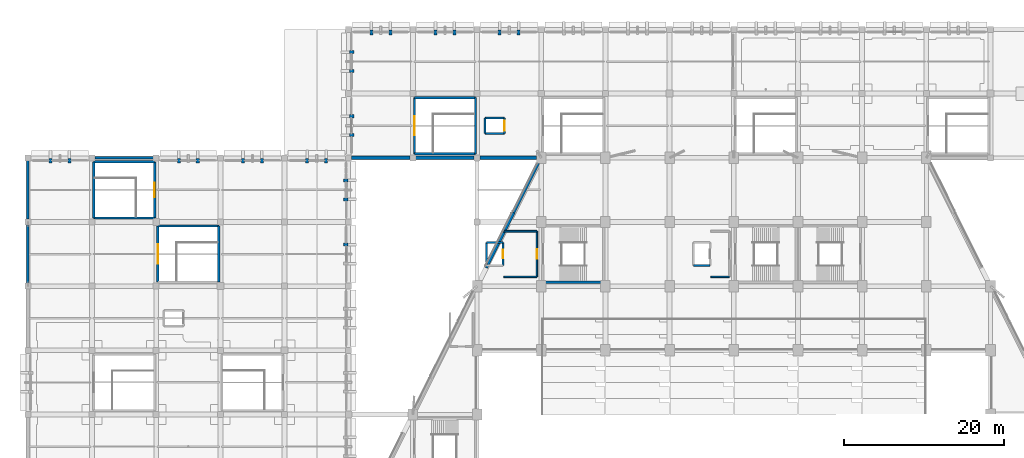
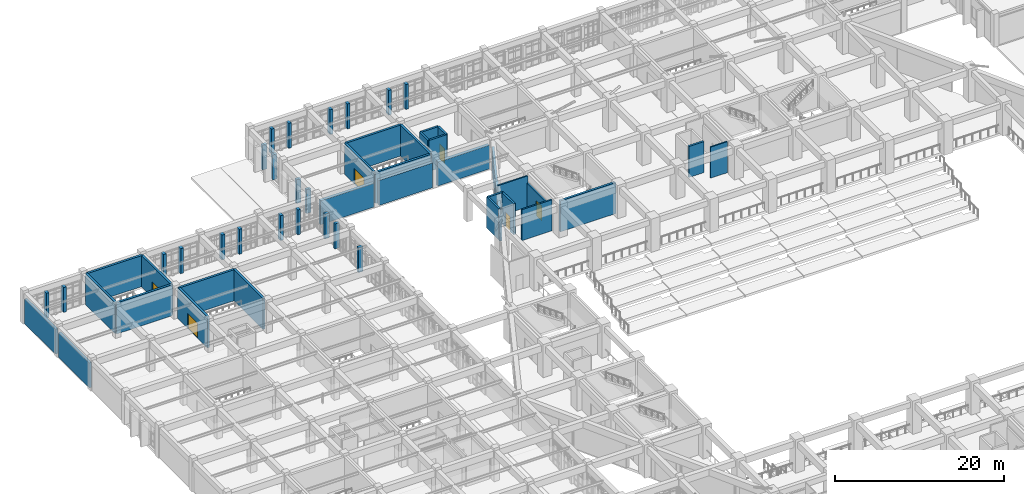
# One storey, part 137 of 155: 53 walls, 6 doors, 6 openings.
"""IFC4 building model written with IfcOpenShell, lengths in metres."""

from ifc_helpers import new_model, si_unit, direction, frame, frame_2d, origin, place, context, subcontext, project, spatial, rectangle, extrude, material, layer, layer_set, type_object, element, fill, save


model = new_model("IFC4")

# Units and contexts
model_context = context("Model", 3, precision=1e-05, world=origin(), true_north=direction((0.0, 1.0)))
body_context = subcontext(model_context, "Body", "Model", "MODEL_VIEW")
ifc_project = project(units=[si_unit("LENGTHUNIT", "METRE"), si_unit("AREAUNIT", "SQUARE_METRE"), si_unit("VOLUMEUNIT", "CUBIC_METRE"), si_unit("PLANEANGLEUNIT", "RADIAN"), si_unit("MASSUNIT", "GRAM", prefix="KILO")], contexts=[model_context])

# Site, building, storey
site_placement = place(None, origin())
site = spatial("IfcSite", under=ifc_project, at=site_placement, CompositionType="ELEMENT")
building_placement = place(site_placement, origin())
building = spatial("IfcBuilding", under=site, at=building_placement, Name="Tazarka Park Arena", CompositionType="ELEMENT")
storey_placement = place(building_placement, frame((0.0, 0.0, 5.39990234375)))
storey = spatial("IfcBuildingStorey", under=building, at=storey_placement, Name="L01", CompositionType="ELEMENT", Elevation=5.39990234375)

# Wall, opening, door
ifc_material_1 = material(Name="Concrete C40/50", Category="concrete")
ifc_layer_1 = layer(ifc_material_1, 0.300048828125, Name="Concrete C40/50")
ifc_layer_set_1 = layer_set([ifc_layer_1], Name="Concrete C40/50")
wall_type_1 = type_object("IfcWallType", Name="IWAL-CW-S1", PredefinedType="SHEAR", material=ifc_layer_set_1)
wall_1_placement = place(storey_placement, frame((16.199951171875, 96.5, 0.0), z_axis=(0.0, 0.0, 1.0), x_axis=(0.0, 1.0, 0.0)))
wall_1 = element("IfcWall", 1, at=wall_1_placement, inside=storey, type_object=wall_type_1, Name="SCW-L01-ST03-W", PredefinedType="SHEAR", context=body_context, shape_type="SweptSolid", body=[
    extrude(rectangle(XDim=7.0, YDim=0.300048828125, at=frame_2d((3.5, 0.0))), origin(), (0.0, 0.0, 1.0), 4.47998046875),
])
opening_1_placement = place(wall_1_placement, frame((2.300048828125, 0.0, 0.0)))
opening_1 = element("IfcOpeningElement", 2, at=opening_1_placement, cuts=wall_1, Name="Opening ID-05", PredefinedType="OPENING", context=body_context, shape_type="SweptSolid", body=[
    extrude(rectangle(XDim=2.39990234375, YDim=2.199951171875, at=frame_2d((1.199951171875, 1.10009765625))), frame((0.0, 0.16015625, 0.0), z_axis=(0.0, -1.0, 0.0), x_axis=(1.0, 0.0, 0.0)), (0.0, 0.0, 1.0), 0.320068359375),
])
ifc_material_2 = material(Name="Fire-rated powder-coated steel and acoustic timber", Category="steel")
door_type_1 = type_object("IfcDoorType", Name="IDR-ID-05", OperationType="NOTDEFINED", PredefinedType="DOOR", material=ifc_material_2)
door_1_placement = place(opening_1_placement, frame((2.39990234375, 0.0, 0.0), z_axis=(0.0, 0.0, 1.0), x_axis=(-1.0, 0.0, 0.0)))
door_1 = element("IfcDoor", 3, at=door_1_placement, inside=storey, type_object=door_type_1, Name="Exit Stair Door ST03-L01", OperationType="DOUBLE_DOOR_SINGLE_SWING", OverallHeight=2.199951171875, OverallWidth=2.39990234375, PredefinedType="DOOR", context=body_context, shape_type="SweptSolid", body=[
    extrude(rectangle(XDim=2.39990234375, YDim=2.199951171875, at=frame_2d((1.199951171875, 1.10009765625))), frame((0.0, 0.02490234375, 0.0), z_axis=(0.0, -1.0, 0.0), x_axis=(1.0, 0.0, 0.0)), (0.0, 0.0, 1.0), 0.050048828125),
])
fill(opening_1, door_1)

# Walls
wall_2_placement = place(storey_placement, frame((16.199951171875, 103.5, 0.0), z_axis=(0.0, 0.0, 1.0), x_axis=(1.0, 0.0, 0.0)))
element("IfcWall", 4, at=wall_2_placement, inside=storey, type_object=wall_type_1, Name="SCW-L01-ST03-N", PredefinedType="SHEAR", context=body_context, shape_type="SweptSolid", body=[
    extrude(rectangle(XDim=7.60009765625, YDim=0.300048828125, at=frame_2d((3.800048828125, 0.0))), origin(), (0.0, 0.0, 1.0), 4.47998046875),
])
wall_3_placement = place(storey_placement, frame((23.800048828125, 103.5, 0.0), z_axis=(0.0, 0.0, 1.0), x_axis=(0.0, -1.0, 0.0)))
element("IfcWall", 5, at=wall_3_placement, inside=storey, type_object=wall_type_1, Name="SCW-L01-ST03-E", PredefinedType="SHEAR", context=body_context, shape_type="SweptSolid", body=[
    extrude(rectangle(XDim=7.0, YDim=0.300048828125, at=frame_2d((3.5, 0.0))), origin(), (0.0, 0.0, 1.0), 4.47998046875),
])
wall_4_placement = place(storey_placement, frame((55.800048828125, 112.5, 0.0), z_axis=(0.0, 0.0, 1.0), x_axis=(-1.0, 0.0, 0.0)))
element("IfcWall", 6, at=wall_4_placement, inside=storey, type_object=wall_type_1, Name="SCW-L01-ST05-S", PredefinedType="SHEAR", context=body_context, shape_type="SweptSolid", body=[
    extrude(rectangle(XDim=7.60009765625, YDim=0.300048828125, at=frame_2d((3.800048828125, 0.0))), origin(), (0.0, 0.0, 1.0), 4.47998046875),
])

# Wall, opening, door
wall_5_placement = place(storey_placement, frame((48.199951171875, 112.5, 0.0), z_axis=(0.0, 0.0, 1.0), x_axis=(0.0, 1.0, 0.0)))
wall_5 = element("IfcWall", 7, at=wall_5_placement, inside=storey, type_object=wall_type_1, Name="SCW-L01-ST05-W", PredefinedType="SHEAR", context=body_context, shape_type="SweptSolid", body=[
    extrude(rectangle(XDim=7.0, YDim=0.300048828125, at=frame_2d((3.5, 0.0))), origin(), (0.0, 0.0, 1.0), 4.47998046875),
])
opening_2_placement = place(wall_5_placement, frame((2.300048828125, 0.0, 0.0)))
opening_2 = element("IfcOpeningElement", 8, at=opening_2_placement, cuts=wall_5, Name="Opening ID-05", PredefinedType="OPENING", context=body_context, shape_type="SweptSolid", body=[
    extrude(rectangle(XDim=2.39990234375, YDim=2.199951171875, at=frame_2d((1.199951171875, 1.10009765625))), frame((0.0, 0.16015625, 0.0), z_axis=(0.0, -1.0, 0.0), x_axis=(1.0, 0.0, 0.0)), (0.0, 0.0, 1.0), 0.320068359375),
])
door_2_placement = place(opening_2_placement, frame((2.39990234375, 0.0, 0.0), z_axis=(0.0, 0.0, 1.0), x_axis=(-1.0, 0.0, 0.0)))
door_2 = element("IfcDoor", 9, at=door_2_placement, inside=storey, type_object=door_type_1, Name="Exit Stair Door ST05-L01", OperationType="DOUBLE_DOOR_SINGLE_SWING", OverallHeight=2.199951171875, OverallWidth=2.39990234375, PredefinedType="DOOR", context=body_context, shape_type="SweptSolid", body=[
    extrude(rectangle(XDim=2.39990234375, YDim=2.199951171875, at=frame_2d((1.199951171875, 1.10009765625))), frame((0.0, 0.02490234375, 0.0), z_axis=(0.0, -1.0, 0.0), x_axis=(1.0, 0.0, 0.0)), (0.0, 0.0, 1.0), 0.050048828125),
])
fill(opening_2, door_2)

# Walls
wall_6_placement = place(storey_placement, frame((48.199951171875, 119.5, 0.0), z_axis=(0.0, 0.0, 1.0), x_axis=(1.0, 0.0, 0.0)))
element("IfcWall", 10, at=wall_6_placement, inside=storey, type_object=wall_type_1, Name="SCW-L01-ST05-N", PredefinedType="SHEAR", context=body_context, shape_type="SweptSolid", body=[
    extrude(rectangle(XDim=7.60009765625, YDim=0.300048828125, at=frame_2d((3.800048828125, 0.0))), origin(), (0.0, 0.0, 1.0), 4.47998046875),
])
wall_7_placement = place(storey_placement, frame((55.800048828125, 119.5, 0.0), z_axis=(0.0, 0.0, 1.0), x_axis=(0.0, -1.0, 0.0)))
element("IfcWall", 11, at=wall_7_placement, inside=storey, type_object=wall_type_1, Name="SCW-L01-ST05-E", PredefinedType="SHEAR", context=body_context, shape_type="SweptSolid", body=[
    extrude(rectangle(XDim=7.0, YDim=0.300048828125, at=frame_2d((3.5, 0.0))), origin(), (0.0, 0.0, 1.0), 4.47998046875),
])
for number, where, z_axis, x_axis, name in (
    (12, (71.800048828125, 96.5, 0.0), (0.0, 0.0, 1.0), (-1.0, 0.0, 0.0), "SCW-L01-ST14-S"),
    (13, (15.800048828125, 104.5, 0.0), (0.0, 0.0, 1.0), (-1.0, 0.0, 0.0), "SCW-L01-ST25-S"),
):
    element("IfcWall", number, at=place(storey_placement, frame(where, z_axis=z_axis, x_axis=x_axis)), inside=storey, type_object=wall_type_1, Name=name, PredefinedType="SHEAR", context=body_context, shape_type="SweptSolid", body=[
        extrude(rectangle(XDim=7.60009765625, YDim=0.300048828125, at=frame_2d((3.800048828125, 0.0))), origin(), (0.0, 0.0, 1.0), 4.47998046875),
    ])
wall_8_placement = place(storey_placement, frame((8.199951171875, 104.5, 0.0), z_axis=(0.0, 0.0, 1.0), x_axis=(0.0, 1.0, 0.0)))
element("IfcWall", 14, at=wall_8_placement, inside=storey, type_object=wall_type_1, Name="SCW-L01-ST25-W", PredefinedType="SHEAR", context=body_context, shape_type="SweptSolid", body=[
    extrude(rectangle(XDim=7.0, YDim=0.300048828125, at=frame_2d((3.5, 0.0))), origin(), (0.0, 0.0, 1.0), 4.47998046875),
])
wall_9_placement = place(storey_placement, frame((8.199951171875, 111.5, 0.0), z_axis=(0.0, 0.0, 1.0), x_axis=(1.0, 0.0, 0.0)))
element("IfcWall", 15, at=wall_9_placement, inside=storey, type_object=wall_type_1, Name="SCW-L01-ST25-N", PredefinedType="SHEAR", context=body_context, shape_type="SweptSolid", body=[
    extrude(rectangle(XDim=7.60009765625, YDim=0.300048828125, at=frame_2d((3.800048828125, 0.0))), origin(), (0.0, 0.0, 1.0), 4.47998046875),
])

# Wall, opening, door
wall_10_placement = place(storey_placement, frame((15.800048828125, 111.5, 0.0), z_axis=(0.0, 0.0, 1.0), x_axis=(0.0, -1.0, 0.0)))
wall_10 = element("IfcWall", 16, at=wall_10_placement, inside=storey, type_object=wall_type_1, Name="SCW-L01-ST25-E", PredefinedType="SHEAR", context=body_context, shape_type="SweptSolid", body=[
    extrude(rectangle(XDim=7.0, YDim=0.300048828125, at=frame_2d((3.5, 0.0))), origin(), (0.0, 0.0, 1.0), 4.47998046875),
])
opening_3_placement = place(wall_10_placement, frame((2.60009765625, 0.0, 0.0)))
opening_3 = element("IfcOpeningElement", 17, at=opening_3_placement, cuts=wall_10, Name="Opening ID-04", PredefinedType="OPENING", context=body_context, shape_type="SweptSolid", body=[
    extrude(rectangle(XDim=1.800048828125, YDim=2.199951171875, at=frame_2d((0.89990234375, 1.10009765625))), frame((0.0, 0.16015625, 0.0), z_axis=(0.0, -1.0, 0.0), x_axis=(1.0, 0.0, 0.0)), (0.0, 0.0, 1.0), 0.320068359375),
])
ifc_material_3 = material(Name="Fire-rated powder-coated steel and acoustic timber", Category="steel")
door_type_2 = type_object("IfcDoorType", Name="IDR-ID-04", OperationType="NOTDEFINED", PredefinedType="DOOR", material=ifc_material_3)
door_3_placement = place(opening_3_placement, frame((1.800048828125, 0.0, 0.0), z_axis=(0.0, 0.0, 1.0), x_axis=(-1.0, 0.0, 0.0)))
door_3 = element("IfcDoor", 18, at=door_3_placement, inside=storey, type_object=door_type_2, Name="Vomitory Stair Door ST25-L01", OperationType="DOUBLE_DOOR_SINGLE_SWING", OverallHeight=2.199951171875, OverallWidth=1.800048828125, PredefinedType="DOOR", context=body_context, shape_type="SweptSolid", body=[
    extrude(rectangle(XDim=1.800048828125, YDim=2.199951171875, at=frame_2d((0.89990234375, 1.10009765625))), frame((0.0, 0.02490234375, 0.0), z_axis=(0.0, -1.0, 0.0), x_axis=(1.0, 0.0, 0.0)), (0.0, 0.0, 1.0), 0.050048828125),
])
fill(opening_3, door_3)

# Walls
ifc_material_4 = material(Name="Concrete C40/50", Category="concrete")
ifc_layer_2 = layer(ifc_material_4, 0.260009765625, Name="Concrete C40/50")
ifc_layer_set_2 = layer_set([ifc_layer_2], Name="Concrete C40/50")
wall_type_2 = type_object("IfcWallType", Name="IWAL-CW-S3", PredefinedType="SHEAR", material=ifc_layer_set_2)
wall_11_placement = place(storey_placement, frame((57.179931640625, 98.580078125, 0.0), z_axis=(0.0, 0.0, 1.0), x_axis=(0.0, 1.0, 0.0)))
element("IfcWall", 19, at=wall_11_placement, inside=storey, type_object=wall_type_2, Name="LSW-L01-LF-02-W", PredefinedType="SHEAR", context=body_context, shape_type="SweptSolid", body=[
    extrude(rectangle(XDim=2.83984375, YDim=0.260009765625, at=frame_2d((1.419921875, 0.0))), origin(), (0.0, 0.0, 1.0), 4.47998046875),
])
wall_12_placement = place(storey_placement, frame((57.179931640625, 101.419921875, 0.0), z_axis=(0.0, 0.0, 1.0), x_axis=(1.0, 0.0, 0.0)))
element("IfcWall", 20, at=wall_12_placement, inside=storey, type_object=wall_type_2, Name="LSW-L01-LF-02-N", PredefinedType="SHEAR", context=body_context, shape_type="SweptSolid", body=[
    extrude(rectangle(XDim=2.0400390625, YDim=0.260009765625, at=frame_2d((1.02001953125, 0.0))), origin(), (0.0, 0.0, 1.0), 4.47998046875),
])

# Wall, opening, door
wall_13_placement = place(storey_placement, frame((59.219970703125, 101.419921875, 0.0), z_axis=(0.0, 0.0, 1.0), x_axis=(0.0, -1.0, 0.0)))
wall_13 = element("IfcWall", 21, at=wall_13_placement, inside=storey, type_object=wall_type_2, Name="LSW-L01-LF-02-E", PredefinedType="SHEAR", context=body_context, shape_type="SweptSolid", body=[
    extrude(rectangle(XDim=2.83984375, YDim=0.260009765625, at=frame_2d((1.419921875, 0.0))), origin(), (0.0, 0.0, 1.0), 4.47998046875),
])
opening_4_placement = place(wall_13_placement, frame((0.8701171875, 0.0, 0.0)))
opening_4 = element("IfcOpeningElement", 22, at=opening_4_placement, cuts=wall_13, Name="Opening LD-01", PredefinedType="OPENING", context=body_context, shape_type="SweptSolid", body=[
    extrude(rectangle(XDim=1.10009765625, YDim=2.14990234375, at=frame_2d((0.550048828125, 1.074951171875))), frame((0.0, 0.14013671875, 0.0), z_axis=(0.0, -1.0, 0.0), x_axis=(1.0, 0.0, 0.0)), (0.0, 0.0, 1.0), 0.280029296875),
])
ifc_material_5 = material(Name="Fire-rated powder-coated steel and acoustic timber", Category="steel")
door_type_3 = type_object("IfcDoorType", Name="IDR-LD-01", OperationType="NOTDEFINED", PredefinedType="DOOR", material=ifc_material_5)
door_4_placement = place(opening_4_placement, origin())
door_4 = element("IfcDoor", 23, at=door_4_placement, inside=storey, type_object=door_type_3, Name="Lift Landing Door LF-02-L01", OperationType="SLIDING_TO_LEFT", OverallHeight=2.14990234375, OverallWidth=1.10009765625, PredefinedType="DOOR", context=body_context, shape_type="SweptSolid", body=[
    extrude(rectangle(XDim=1.10009765625, YDim=2.14990234375, at=frame_2d((0.550048828125, 1.074951171875))), frame((0.0, 0.02490234375, 0.0), z_axis=(0.0, -1.0, 0.0), x_axis=(1.0, 0.0, 0.0)), (0.0, 0.0, 1.0), 0.050048828125),
])
fill(opening_4, door_4)

# Walls
wall_14_placement = place(storey_placement, frame((85.02001953125, 98.580078125, 0.0), z_axis=(0.0, 0.0, 1.0), x_axis=(-1.0, 0.0, 0.0)))
element("IfcWall", 24, at=wall_14_placement, inside=storey, type_object=wall_type_2, Name="LSW-L01-LF-03-S", PredefinedType="SHEAR", context=body_context, shape_type="SweptSolid", body=[
    extrude(rectangle(XDim=2.0400390625, YDim=0.260009765625, at=frame_2d((1.02001953125, 0.0))), origin(), (0.0, 0.0, 1.0), 4.47998046875),
])
wall_15_placement = place(storey_placement, frame((56.97998046875, 115.030029296875, 0.0), z_axis=(0.0, 0.0, 1.0), x_axis=(0.0, 1.0, 0.0)))
element("IfcWall", 25, at=wall_15_placement, inside=storey, type_object=wall_type_2, Name="LSW-L01-LF-07-W", PredefinedType="SHEAR", context=body_context, shape_type="SweptSolid", body=[
    extrude(rectangle(XDim=1.93994140625, YDim=0.260009765625, at=frame_2d((0.969970703125, 0.0))), origin(), (0.0, 0.0, 1.0), 4.47998046875),
])
for number, where, z_axis, x_axis, name in (
    (26, (56.97998046875, 116.969970703125, 0.0), (0.0, 0.0, 1.0), (1.0, 0.0, 0.0), "LSW-L01-LF-07-N"),
    (27, (59.419921875, 115.030029296875, 0.0), (0.0, 0.0, 1.0), (-1.0, 0.0, 0.0), "LSW-L01-LF-07-S"),
):
    element("IfcWall", number, at=place(storey_placement, frame(where, z_axis=z_axis, x_axis=x_axis)), inside=storey, type_object=wall_type_2, Name=name, PredefinedType="SHEAR", context=body_context, shape_type="SweptSolid", body=[
        extrude(rectangle(XDim=2.43994140625, YDim=0.260009765625, at=frame_2d((1.219970703125, 0.0))), origin(), (0.0, 0.0, 1.0), 4.47998046875),
    ])

# Wall, opening, door
wall_16_placement = place(storey_placement, frame((59.419921875, 116.969970703125, 0.0), z_axis=(0.0, 0.0, 1.0), x_axis=(0.0, -1.0, 0.0)))
wall_16 = element("IfcWall", 28, at=wall_16_placement, inside=storey, type_object=wall_type_2, Name="LSW-L01-LF-07-E", PredefinedType="SHEAR", context=body_context, shape_type="SweptSolid", body=[
    extrude(rectangle(XDim=1.93994140625, YDim=0.260009765625, at=frame_2d((0.969970703125, 0.0))), origin(), (0.0, 0.0, 1.0), 4.47998046875),
])
opening_5_placement = place(wall_16_placement, frame((0.3701171875, 0.0, 0.0)))
opening_5 = element("IfcOpeningElement", 29, at=opening_5_placement, cuts=wall_16, Name="Opening LD-02", PredefinedType="OPENING", context=body_context, shape_type="SweptSolid", body=[
    extrude(rectangle(XDim=1.199951171875, YDim=2.14990234375, at=frame_2d((0.60009765625, 1.074951171875))), frame((0.0, 0.14013671875, 0.0), z_axis=(0.0, -1.0, 0.0), x_axis=(1.0, 0.0, 0.0)), (0.0, 0.0, 1.0), 0.280029296875),
])
ifc_material_6 = material(Name="Fire-rated powder-coated steel and acoustic timber", Category="steel")
door_type_4 = type_object("IfcDoorType", Name="IDR-LD-02", OperationType="NOTDEFINED", PredefinedType="DOOR", material=ifc_material_6)
door_5_placement = place(opening_5_placement, origin())
door_5 = element("IfcDoor", 30, at=door_5_placement, inside=storey, type_object=door_type_4, Name="Lift Landing Door LF-07-L01", OperationType="SLIDING_TO_LEFT", OverallHeight=2.14990234375, OverallWidth=1.199951171875, PredefinedType="DOOR", context=body_context, shape_type="SweptSolid", body=[
    extrude(rectangle(XDim=1.199951171875, YDim=2.14990234375, at=frame_2d((0.60009765625, 1.074951171875))), frame((0.0, 0.02490234375, 0.0), z_axis=(0.0, -1.0, 0.0), x_axis=(1.0, 0.0, 0.0)), (0.0, 0.0, 1.0), 0.050048828125),
])
fill(opening_5, door_5)

# Walls
ifc_material_7 = material(Name="Reinforced masonry compartment wall", Category="masonry")
ifc_layer_3 = layer(ifc_material_7, 0.199951171875, Name="Reinforced masonry compartment wall")
ifc_layer_set_3 = layer_set([ifc_layer_3], Name="Reinforced masonry compartment wall")
wall_type_3 = type_object("IfcWallType", Name="IWAL-PT-04", PredefinedType="PARTITIONING", material=ifc_layer_set_3)
for number, where, z_axis, x_axis, name in (
    (31, (59.35009765625, 102.85009765625, 0.0), (0.0, 0.0, 1.0), (1.0, 0.0, 0.0), "FFW-L01-LF-02-N"),
    (32, (63.449951171875, 97.14990234375, 0.0), (0.0, 0.0, 1.0), (-1.0, 0.0, 0.0), "FFW-L01-LF-02-S"),
):
    element("IfcWall", number, at=place(storey_placement, frame(where, z_axis=z_axis, x_axis=x_axis)), inside=storey, type_object=wall_type_3, Name=name, PredefinedType="PARTITIONING", context=body_context, shape_type="SweptSolid", body=[
        extrude(rectangle(XDim=4.099853515625, YDim=0.199951171875, at=frame_2d((2.0498046875, 0.0))), origin(), (0.0, 0.0, 1.0), 4.47998046875),
    ])

# Wall, opening, door
wall_17_placement = place(storey_placement, frame((63.449951171875, 102.85009765625, 0.0), z_axis=(0.0, 0.0, 1.0), x_axis=(0.0, -1.0, 0.0)))
wall_17 = element("IfcWall", 33, at=wall_17_placement, inside=storey, type_object=wall_type_3, Name="FFW-L01-LF-02-E", PredefinedType="PARTITIONING", context=body_context, shape_type="SweptSolid", body=[
    extrude(rectangle(XDim=5.7001953125, YDim=0.199951171875, at=frame_2d((2.85009765625, 0.0))), origin(), (0.0, 0.0, 1.0), 3.4501953125),
])
opening_6_placement = place(wall_17_placement, frame((2.25, 0.0, 0.0)))
opening_6 = element("IfcOpeningElement", 34, at=opening_6_placement, cuts=wall_17, Name="Opening ID-03", PredefinedType="OPENING", context=body_context, shape_type="SweptSolid", body=[
    extrude(rectangle(XDim=1.199951171875, YDim=2.199951171875, at=frame_2d((0.60009765625, 1.10009765625))), frame((0.0, 0.10986328125, 0.0), z_axis=(0.0, -1.0, 0.0), x_axis=(1.0, 0.0, 0.0)), (0.0, 0.0, 1.0), 0.219970703125),
])
ifc_material_8 = material(Name="Fire-rated powder-coated steel and acoustic timber", Category="steel")
door_type_5 = type_object("IfcDoorType", Name="IDR-ID-03", OperationType="NOTDEFINED", PredefinedType="DOOR", material=ifc_material_8)
door_6_placement = place(opening_6_placement, origin())
door_6 = element("IfcDoor", 35, at=door_6_placement, inside=storey, type_object=door_type_5, Name="Firefighting Lobby Door LF-02-L01", OperationType="SINGLE_SWING_RIGHT", OverallHeight=2.199951171875, OverallWidth=1.199951171875, PredefinedType="DOOR", context=body_context, shape_type="SweptSolid", body=[
    extrude(rectangle(XDim=1.199951171875, YDim=2.199951171875, at=frame_2d((0.60009765625, 1.10009765625))), frame((0.0, 0.02490234375, 0.0), z_axis=(0.0, -1.0, 0.0), x_axis=(1.0, 0.0, 0.0)), (0.0, 0.0, 1.0), 0.050048828125),
])
fill(opening_6, door_6)

# Walls
wall_18_placement = place(storey_placement, frame((87.449951171875, 97.14990234375, 0.0), z_axis=(0.0, 0.0, 1.0), x_axis=(-1.0, 0.0, 0.0)))
element("IfcWall", 36, at=wall_18_placement, inside=storey, type_object=wall_type_3, Name="FFW-L01-LF-03-S", PredefinedType="PARTITIONING", context=body_context, shape_type="SweptSolid", body=[
    extrude(rectangle(XDim=2.300048828125, YDim=0.199951171875, at=frame_2d((1.14990234375, 0.0))), origin(), (0.0, 0.0, 1.0), 4.47998046875),
])
ifc_material_9 = material(Name="Precast concrete C40/50", Category="concrete")
ifc_layer_4 = layer(ifc_material_9, 0.300048828125, Name="Precast concrete C40/50")
ifc_layer_set_4 = layer_set([ifc_layer_4], Name="Precast concrete C40/50")
wall_type_4 = type_object("IfcWallType", Name="WAL-EW-01", PredefinedType="SOLIDWALL", material=ifc_layer_set_4)
wall_19_placement = place(storey_placement, frame((8.35498046875, 112.0, 0.0), z_axis=(0.0, 0.0, 1.0), x_axis=(1.0, 0.0, 0.0)))
element("IfcWall", 37, at=wall_19_placement, inside=storey, type_object=wall_type_4, Name="EW-L01-0192", PredefinedType="SOLIDWALL", context=body_context, shape_type="SweptSolid", body=[
    extrude(rectangle(XDim=7.2900390625, YDim=0.300048828125, at=frame_2d((3.64501953125, 0.0))), origin(), (0.0, 0.0, 1.0), 3.60009765625),
])
ifc_material_10 = material(Name="Precast concrete C40/50", Category="concrete")
ifc_layer_5 = layer(ifc_material_10, 0.320068359375, Name="Precast concrete C40/50")
ifc_layer_set_5 = layer_set([ifc_layer_5], Name="Precast concrete C40/50")
wall_type_5 = type_object("IfcWallType", Name="WAL-EW-02", PredefinedType="SOLIDWALL", material=ifc_layer_set_5)
wall_20_placement = place(storey_placement, frame((0.0, 104.35498046875, 0.0), z_axis=(0.0, 0.0, 1.0), x_axis=(0.0, 1.0, 0.0)))
element("IfcWall", 38, at=wall_20_placement, inside=storey, type_object=wall_type_5, Name="EW-L01-0193", PredefinedType="SOLIDWALL", context=body_context, shape_type="SweptSolid", body=[
    extrude(rectangle(XDim=7.2900390625, YDim=0.320068359375, at=frame_2d((3.64501953125, 0.0))), origin(), (0.0, 0.0, 1.0), 3.60009765625),
])
ifc_material_11 = material(Name="Concrete C40/50", Category="concrete")
ifc_layer_6 = layer(ifc_material_11, 0.340087890625, Name="Concrete C40/50")
ifc_layer_set_6 = layer_set([ifc_layer_6], Name="Concrete C40/50")
wall_type_6 = type_object("IfcWallType", Name="WAL-EW-03", PredefinedType="SOLIDWALL", material=ifc_layer_set_6)
wall_21_placement = place(storey_placement, frame((0.0, 96.35498046875, 0.0), z_axis=(0.0, 0.0, 1.0), x_axis=(0.0, 1.0, 0.0)))
element("IfcWall", 39, at=wall_21_placement, inside=storey, type_object=wall_type_6, Name="EW-L01-0194", PredefinedType="SOLIDWALL", context=body_context, shape_type="SweptSolid", body=[
    extrude(rectangle(XDim=7.2900390625, YDim=0.340087890625, at=frame_2d((3.64501953125, 0.0))), origin(), (0.0, 0.0, 1.0), 3.60009765625),
])
ifc_material_12 = material(Name="Concrete C50/60", Category="concrete")
ifc_layer_7 = layer(ifc_material_12, 0.3798828125, Name="Concrete C50/60")
ifc_layer_set_7 = layer_set([ifc_layer_7], Name="Concrete C50/60")
wall_type_7 = type_object("IfcWallType", Name="WAL-EW-05", PredefinedType="SOLIDWALL", material=ifc_layer_set_7)
for number, where, z_axis, x_axis, name in (
    (40, (58.818359375, 127.330078125, 0.0), (0.0, 0.0, 1.0), (0.0, 1.0, 0.0), "BFP-L01-046-1"),
    (41, (61.181640625, 127.330078125, 0.0), (0.0, 0.0, 1.0), (0.0, 1.0, 0.0), "BFP-L01-046-2"),
    (42, (50.818359375, 127.330078125, 0.0), (0.0, 0.0, 1.0), (0.0, 1.0, 0.0), "BFP-L01-049-1"),
    (43, (53.181640625, 127.330078125, 0.0), (0.0, 0.0, 1.0), (0.0, 1.0, 0.0), "BFP-L01-049-2"),
    (44, (42.818359375, 127.330078125, 0.0), (0.0, 0.0, 1.0), (0.0, 1.0, 0.0), "BFP-L01-052-1"),
    (45, (45.181640625, 127.330078125, 0.0), (0.0, 0.0, 1.0), (0.0, 1.0, 0.0), "BFP-L01-052-2"),
    (46, (40.669921875, 122.818359375, 0.0), (0.0, 0.0, 1.0), (-1.0, 0.0, 0.0), "BFP-L01-055-1"),
    (47, (40.669921875, 125.181640625, 0.0), (0.0, 0.0, 1.0), (-1.0, 0.0, 0.0), "BFP-L01-055-2"),
):
    element("IfcWall", number, at=place(storey_placement, frame(where, z_axis=z_axis, x_axis=x_axis)), inside=storey, type_object=wall_type_7, Name=name, PredefinedType="SOLIDWALL", context=body_context, shape_type="SweptSolid", body=[
        extrude(rectangle(XDim=0.599853515625, YDim=0.3798828125, at=frame_2d((0.2998046875, 0.0))), origin(), (0.0, 0.0, 1.0), 3.60009765625),
    ])
for number, where, z_axis, x_axis, name in (
    (48, (40.669921875, 114.818359375, 0.0), (0.0, 0.0, 1.0), (-1.0, 0.0, 0.0), "BFP-L01-058-1"),
    (49, (40.669921875, 117.181640625, 0.0), (0.0, 0.0, 1.0), (-1.0, 0.0, 0.0), "BFP-L01-058-2"),
):
    element("IfcWall", number, at=place(storey_placement, frame(where, z_axis=z_axis, x_axis=x_axis)), inside=storey, type_object=wall_type_7, Name=name, PredefinedType="SOLIDWALL", context=body_context, shape_type="SweptSolid", body=[
        extrude(rectangle(XDim=0.599853515625, YDim=0.3798828125, at=frame_2d((0.2998046875, 0.0))), origin(), (0.0, 0.0, 1.0), 3.4501953125),
    ])
wall_22_placement = place(storey_placement, frame((57.142822265625, 98.28564453125, 0.0), z_axis=(0.0, 0.0, 1.0), x_axis=(0.447200857411, 0.894433559931, 0.0)))
element("IfcWall", 50, at=wall_22_placement, inside=storey, type_object=wall_type_7, Name="EW-L01-0180", PredefinedType="SOLIDWALL", context=body_context, shape_type="SweptSolid", body=[
    extrude(rectangle(XDim=7.66650390625, YDim=0.3798828125, at=frame_2d((3.833251953125, 0.0))), origin(), (0.0, 0.0, 1.0), 3.4501953125),
])
for number, where, z_axis, x_axis, name in (
    (51, (39.330078125, 101.181640625, 0.0), (0.0, 0.0, 1.0), (1.0, 0.0, 0.0), "BFP-L01-118-1"),
    (52, (39.330078125, 109.181640625, 0.0), (0.0, 0.0, 1.0), (1.0, 0.0, 0.0), "BFP-L01-121-1"),
    (53, (39.330078125, 106.818359375, 0.0), (0.0, 0.0, 1.0), (1.0, 0.0, 0.0), "BFP-L01-121-2"),
    (54, (34.818359375, 111.330078125, 0.0), (0.0, 0.0, 1.0), (0.0, 1.0, 0.0), "BFP-L01-124-1"),
    (55, (37.181640625, 111.330078125, 0.0), (0.0, 0.0, 1.0), (0.0, 1.0, 0.0), "BFP-L01-124-2"),
    (56, (26.818359375, 111.330078125, 0.0), (0.0, 0.0, 1.0), (0.0, 1.0, 0.0), "BFP-L01-127-1"),
    (57, (29.181640625, 111.330078125, 0.0), (0.0, 0.0, 1.0), (0.0, 1.0, 0.0), "BFP-L01-127-2"),
    (58, (18.818359375, 111.330078125, 0.0), (0.0, 0.0, 1.0), (0.0, 1.0, 0.0), "BFP-L01-130-1"),
    (59, (21.181640625, 111.330078125, 0.0), (0.0, 0.0, 1.0), (0.0, 1.0, 0.0), "BFP-L01-130-2"),
    (60, (2.818359375, 111.330078125, 0.0), (0.0, 0.0, 1.0), (0.0, 1.0, 0.0), "BFP-L01-133-1"),
    (61, (5.181640625, 111.330078125, 0.0), (0.0, 0.0, 1.0), (0.0, 1.0, 0.0), "BFP-L01-133-2"),
):
    element("IfcWall", number, at=place(storey_placement, frame(where, z_axis=z_axis, x_axis=x_axis)), inside=storey, type_object=wall_type_7, Name=name, PredefinedType="SOLIDWALL", context=body_context, shape_type="SweptSolid", body=[
        extrude(rectangle(XDim=0.599853515625, YDim=0.3798828125, at=frame_2d((0.2998046875, 0.0))), origin(), (0.0, 0.0, 1.0), 3.60009765625),
    ])
ifc_material_13 = material(Name="Precast concrete C40/50", Category="concrete")
ifc_layer_8 = layer(ifc_material_13, 0.280029296875, Name="Precast concrete C40/50")
ifc_layer_set_8 = layer_set([ifc_layer_8], Name="Precast concrete C40/50")
wall_type_8 = type_object("IfcWallType", Name="WAL-EW-06", PredefinedType="SOLIDWALL", material=ifc_layer_set_8)
wall_23_placement = place(storey_placement, frame((60.5712890625, 105.142822265625, 0.0), z_axis=(0.0, 0.0, 1.0), x_axis=(0.4472135955, 0.894427191, 0.0)))
element("IfcWall", 62, at=wall_23_placement, inside=storey, type_object=wall_type_8, Name="EW-L01-0181", PredefinedType="SOLIDWALL", context=body_context, shape_type="SweptSolid", body=[
    extrude(rectangle(XDim=6.90625, YDim=0.280029296875, at=frame_2d((3.453125, 0.0))), origin(), (0.0, 0.0, 1.0), 3.4501953125),
])
ifc_material_14 = material(Name="Concrete C50/60", Category="concrete")
ifc_layer_9 = layer(ifc_material_14, 0.389892578125, Name="Concrete C50/60")
ifc_layer_set_9 = layer_set([ifc_layer_9], Name="Concrete C50/60")
wall_type_9 = type_object("IfcWallType", Name="WAL-EW-13", PredefinedType="SOLIDWALL", material=ifc_layer_set_9)
wall_24_placement = place(storey_placement, frame((47.64501953125, 112.0, 0.0), z_axis=(0.0, 0.0, 1.0), x_axis=(-1.0, 0.0, 0.0)))
element("IfcWall", 63, at=wall_24_placement, inside=storey, type_object=wall_type_9, Name="EW-L01-0172", PredefinedType="SOLIDWALL", context=body_context, shape_type="SweptSolid", body=[
    extrude(rectangle(XDim=7.2900390625, YDim=0.389892578125, at=frame_2d((3.64501953125, 0.0))), origin(), (0.0, 0.0, 1.0), 3.4501953125),
])
ifc_material_15 = material(Name="Concrete C50/60", Category="concrete")
ifc_layer_10 = layer(ifc_material_15, 0.409912109375, Name="Concrete C50/60")
ifc_layer_set_10 = layer_set([ifc_layer_10], Name="Concrete C50/60")
wall_type_10 = type_object("IfcWallType", Name="WAL-EW-14", PredefinedType="SOLIDWALL", material=ifc_layer_set_10)
wall_25_placement = place(storey_placement, frame((55.64501953125, 112.0, 0.0), z_axis=(0.0, 0.0, 1.0), x_axis=(-1.0, 0.0, 0.0)))
element("IfcWall", 64, at=wall_25_placement, inside=storey, type_object=wall_type_10, Name="EW-L01-0173", PredefinedType="SOLIDWALL", context=body_context, shape_type="SweptSolid", body=[
    extrude(rectangle(XDim=7.2900390625, YDim=0.409912109375, at=frame_2d((3.64501953125, 0.0))), origin(), (0.0, 0.0, 1.0), 3.60009765625),
])
ifc_material_16 = material(Name="Concrete C50/60", Category="concrete")
ifc_layer_11 = layer(ifc_material_16, 0.419921875, Name="Concrete C50/60")
ifc_layer_set_11 = layer_set([ifc_layer_11], Name="Concrete C50/60")
wall_type_11 = type_object("IfcWallType", Name="WAL-EW-15", PredefinedType="SOLIDWALL", material=ifc_layer_set_11)
wall_26_placement = place(storey_placement, frame((63.419921875, 112.0, 0.0), z_axis=(0.0, 0.0, 1.0), x_axis=(-1.0, 0.0, 0.0)))
element("IfcWall", 65, at=wall_26_placement, inside=storey, type_object=wall_type_11, Name="EW-L01-0174", PredefinedType="SOLIDWALL", context=body_context, shape_type="SweptSolid", body=[
    extrude(rectangle(XDim=7.06494140625, YDim=0.419921875, at=frame_2d((3.532470703125, 0.0))), origin(), (0.0, 0.0, 1.0), 3.4501953125),
])

save(model, "model.ifc")
